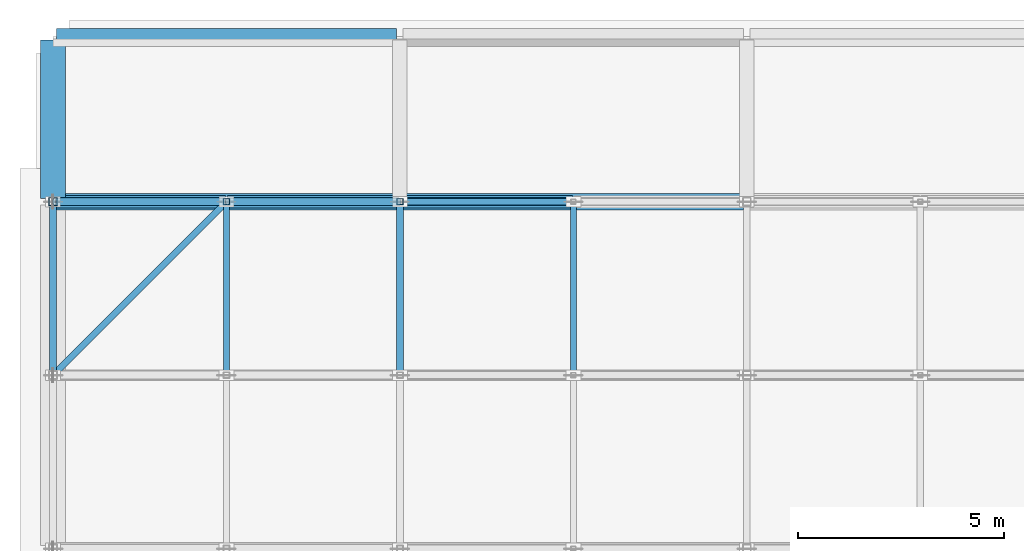
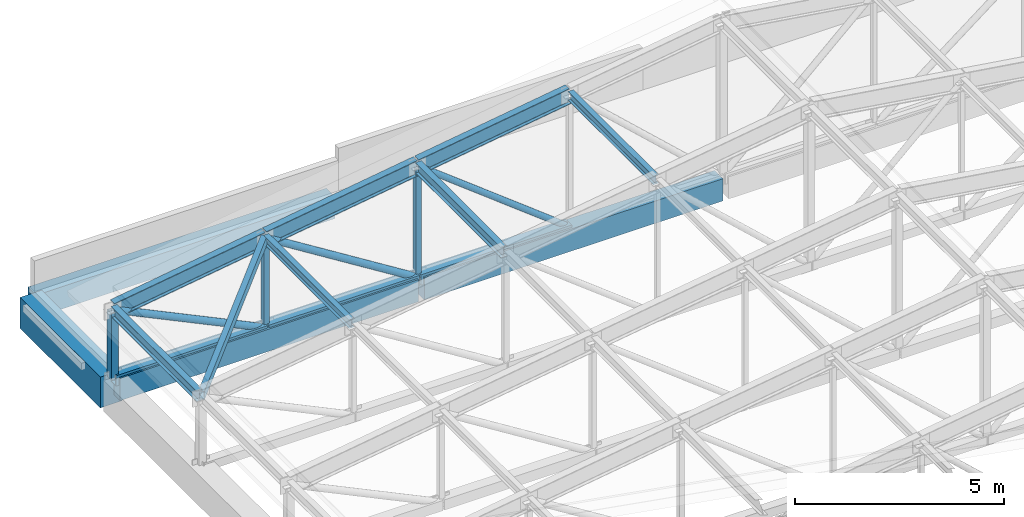
# One storey, part 37 of 122: 17 members, 4 beams.
"""IFC4 building model written with IfcOpenShell, lengths in metres."""

from ifc_helpers import new_model, si_unit, direction, frame, origin, origin_2d, place, context, subcontext, project, spatial, rectangle, hollow_rectangle, hollow_circle, i_section, extrude, material, material_profile, profile_set, type_object, element, save


model = new_model("IFC4")

# Units and contexts
model_context = context("Model", 3, precision=1e-05, world=origin(), true_north=direction((0.0, 1.0)))
body_context = subcontext(model_context, "Body", "Model", "MODEL_VIEW")
ifc_project = project(units=[si_unit("LENGTHUNIT", "METRE"), si_unit("AREAUNIT", "SQUARE_METRE"), si_unit("VOLUMEUNIT", "CUBIC_METRE"), si_unit("PLANEANGLEUNIT", "RADIAN"), si_unit("MASSUNIT", "GRAM", prefix="KILO")], contexts=[model_context])

# Site, building, storey
site_placement = place(None, origin())
site = spatial("IfcSite", under=ifc_project, at=site_placement, CompositionType="ELEMENT")
building_placement = place(site_placement, origin())
building = spatial("IfcBuilding", under=site, at=building_placement, Name="Telukmera Botanical Conservatory", CompositionType="ELEMENT")
storey_placement = place(building_placement, frame((0.0, 0.0, 10.199951171875)))
storey = spatial("IfcBuildingStorey", under=building, at=storey_placement, Name="L02", CompositionType="ELEMENT", Elevation=10.199951171875)

# Beams
ifc_material_1 = material(Name="Concrete C40/50", Category="concrete")
ifc_material_profile_1 = material_profile(ifc_material_1, rectangle(XDim=0.60009765625, YDim=0.89990234375, at=origin_2d()), Name="RC 600x900")
ifc_profile_set_1 = profile_set([ifc_material_profile_1], Name="Concrete C40/50")
beam_type_1 = type_object("IfcBeamType", Name="Beam_B3", PredefinedType="BEAM", material=ifc_profile_set_1)
beam_1_placement = place(storey_placement, frame((8.39990234375, 116.8798828125, -0.449951171875), z_axis=(0.0, 1.0, 0.0), x_axis=(-1.0, 0.0, 0.0)))
element("IfcBeam", 1, at=beam_1_placement, inside=storey, type_object=beam_type_1, Name="Auditorium Frame Beam beam:V2:L02:eave:84:1168", PredefinedType="BEAM", context=body_context, shape_type="SweptSolid", body=[
    extrude(rectangle(XDim=0.60009765625, YDim=0.89990234375, at=origin_2d()), origin(), (0.0, 0.0, 1.0), 3.840087890625),
])
ifc_material_profile_2 = material_profile(ifc_material_1, rectangle(XDim=0.39990234375, YDim=0.64990234375, at=origin_2d()), Name="RC 400x650")
ifc_profile_set_2 = profile_set([ifc_material_profile_2], Name="Concrete C40/50")
beam_type_2 = type_object("IfcBeamType", Name="Beam_B8", PredefinedType="BEAM", material=ifc_profile_set_2)
beam_2_placement = place(storey_placement, frame((8.47998046875, 116.800048828125, -0.324951171875), z_axis=(1.0, 0.0, 0.0), x_axis=(0.0, 1.0, 0.0)))
element("IfcBeam", 2, at=beam_2_placement, inside=storey, type_object=beam_type_2, Name="Auditorium Frame Beam beam:V2:L02:port_x:1168:84", PredefinedType="BEAM", context=body_context, shape_type="SweptSolid", body=[
    extrude(rectangle(XDim=0.39990234375, YDim=0.64990234375, at=origin_2d()), origin(), (0.0, 0.0, 1.0), 8.239990234375),
])
beam_3_placement = place(storey_placement, frame((16.8798828125, 116.800048828125, -0.324951171875), z_axis=(1.0, 0.0, 0.0), x_axis=(0.0, 1.0, 0.0)))
element("IfcBeam", 3, at=beam_3_placement, inside=storey, type_object=beam_type_2, Name="Auditorium Frame Beam beam:V2:L02:port_x:1168:168", PredefinedType="BEAM", context=body_context, shape_type="SweptSolid", body=[
    extrude(rectangle(XDim=0.39990234375, YDim=0.64990234375, at=origin_2d()), origin(), (0.0, 0.0, 1.0), 8.240234375),
])
beam_4_placement = place(storey_placement, frame((8.47998046875, 120.800048828125, -0.324951171875), z_axis=(1.0, 0.0, 0.0), x_axis=(0.0, 1.0, 0.0)))
element("IfcBeam", 4, at=beam_4_placement, inside=storey, type_object=beam_type_2, Name="Auditorium Frame Beam beam:V2:L02:port_x:1208:84", PredefinedType="BEAM", context=body_context, shape_type="SweptSolid", body=[
    extrude(rectangle(XDim=0.39990234375, YDim=0.64990234375, at=origin_2d()), origin(), (0.0, 0.0, 1.0), 8.239990234375),
])

# Members
ifc_material_2 = material(Name="Steel S355", Category="steel")
ifc_material_profile_3 = material_profile(ifc_material_2, hollow_rectangle(XDim=0.300048828125, YDim=0.300048828125, WallThickness=0.012451171875, at=origin_2d()), Name="SHS 300x300x12.5")
ifc_profile_set_3 = profile_set([ifc_material_profile_3], Name="Steel S355")
member_type_1 = type_object("IfcMemberType", Name="Mem_TC3", PredefinedType="CHORD", material=ifc_profile_set_3)
member_1_placement = place(storey_placement, frame((8.39990234375, 116.800048828125, -0.079833984375), z_axis=(1.0, 0.0, 0.0), x_axis=(0.0, 1.0, 0.0)))
element("IfcMember", 5, at=member_1_placement, inside=storey, type_object=member_type_1, Name="Auditorium Pratt Truss Bottom Chord T9-1", PredefinedType="CHORD", context=body_context, shape_type="SweptSolid", body=[
    extrude(hollow_rectangle(XDim=0.300048828125, YDim=0.300048828125, WallThickness=0.012451171875, at=origin_2d()), origin(), (0.0, 0.0, 1.0), 4.18017578125),
])
for number, where, z_axis, x_axis, name in (
    (6, (12.6201171875, 116.800048828125, -0.079833984375), (1.0, 0.0, 0.0), (0.0, 1.0, 0.0), "Auditorium Pratt Truss Bottom Chord T9-2"),
    (7, (16.820068359375, 116.800048828125, -0.079833984375), (1.0, 0.0, 0.0), (0.0, 1.0, 0.0), "Auditorium Pratt Truss Bottom Chord T9-3"),
):
    element("IfcMember", number, at=place(storey_placement, frame(where, z_axis=z_axis, x_axis=x_axis)), inside=storey, type_object=member_type_1, Name=name, PredefinedType="CHORD", context=body_context, shape_type="SweptSolid", body=[
        extrude(hollow_rectangle(XDim=0.300048828125, YDim=0.300048828125, WallThickness=0.012451171875, at=origin_2d()), origin(), (0.0, 0.0, 1.0), 4.159912109375),
    ])
ifc_material_profile_4 = material_profile(ifc_material_2, i_section(OverallWidth=0.19140625, OverallDepth=0.4599609375, WebThickness=0.010009765625, FlangeThickness=0.01611328125, FilletRadius=0.01025390625, at=origin_2d()), Name="UB 457x191x82")
ifc_profile_set_4 = profile_set([ifc_material_profile_4], Name="Steel S355")
member_type_2 = type_object("IfcMemberType", Name="Mem_TC4", PredefinedType="CHORD", material=ifc_profile_set_4)
member_2_placement = place(storey_placement, frame((8.419921875, 116.800048828125, 1.923095703125), z_axis=(0.989021335912, 0.0, 0.147772788805), x_axis=(0.0, 1.0, 0.0)))
element("IfcMember", 8, at=member_2_placement, inside=storey, type_object=member_type_2, Name="Auditorium Pratt Truss Top Chord T9-1", PredefinedType="CHORD", context=body_context, shape_type="SweptSolid", body=[
    extrude(i_section(OverallWidth=0.19140625, OverallDepth=0.4599609375, WebThickness=0.010009765625, FlangeThickness=0.01611328125, FilletRadius=0.01025390625, at=origin_2d()), origin(), (0.0, 0.0, 1.0), 4.206298828125),
])
for number, where, z_axis, x_axis, name in (
    (9, (12.619873046875, 116.800048828125, 2.55078125), (0.989022603236, 0.0, 0.147764306545), (0.0, 1.0, 0.0), "Auditorium Pratt Truss Top Chord T9-2"),
    (10, (16.81982421875, 116.800048828125, 3.178466796875), (0.989022603236, 0.0, 0.147764306545), (0.0, 1.0, 0.0), "Auditorium Pratt Truss Top Chord T9-3"),
):
    element("IfcMember", number, at=place(storey_placement, frame(where, z_axis=z_axis, x_axis=x_axis)), inside=storey, type_object=member_type_2, Name=name, PredefinedType="CHORD", context=body_context, shape_type="SweptSolid", body=[
        extrude(i_section(OverallWidth=0.19140625, OverallDepth=0.4599609375, WebThickness=0.010009765625, FlangeThickness=0.01611328125, FilletRadius=0.01025390625, at=origin_2d()), origin(), (0.0, 0.0, 1.0), 4.20654296875),
    ])
ifc_material_profile_5 = material_profile(ifc_material_2, hollow_circle(Radius=0.096923828125, WallThickness=0.008056640625, at=origin_2d()), Name="CHS 193.7x8.0")
ifc_profile_set_5 = profile_set([ifc_material_profile_5], Name="Steel S355")
member_type_3 = type_object("IfcMemberType", Name="Mem_TD1", PredefinedType="BRACE", material=ifc_profile_set_5)
member_3_placement = place(storey_placement, frame((8.427001953125, 116.800048828125, 1.9072265625), z_axis=(0.902853639645, 0.0, -0.42994802637), x_axis=(0.0, 1.0, 0.0)))
element("IfcMember", 11, at=member_3_placement, inside=storey, type_object=member_type_3, Name="Auditorium Pratt Truss Web Diagonal T9-D1", PredefinedType="BRACE", context=body_context, shape_type="SweptSolid", body=[
    extrude(hollow_circle(Radius=0.096923828125, WallThickness=0.008056640625, at=origin_2d()), origin(), (0.0, 0.0, 1.0), 4.592041015625),
])
member_4_placement = place(storey_placement, frame((12.62548828125, 116.800048828125, 2.53173828125), z_axis=(0.84777122797, 0.0, -0.530362088601), x_axis=(0.0, 1.0, 0.0)))
element("IfcMember", 12, at=member_4_placement, inside=storey, type_object=member_type_3, Name="Auditorium Pratt Truss Web Diagonal T9-D2", PredefinedType="BRACE", context=body_context, shape_type="SweptSolid", body=[
    extrude(hollow_circle(Radius=0.096923828125, WallThickness=0.008056640625, at=origin_2d()), origin(), (0.0, 0.0, 1.0), 4.894287109375),
])
ifc_material_profile_6 = material_profile(ifc_material_2, hollow_circle(Radius=0.084228515625, WallThickness=0.008056640625, at=origin_2d()), Name="CHS 168.3x8.0")
ifc_profile_set_6 = profile_set([ifc_material_profile_6], Name="Steel S355")
member_type_4 = type_object("IfcMemberType", Name="Mem_TD2", PredefinedType="BRACE", material=ifc_profile_set_6)
member_5_placement = place(storey_placement, frame((16.82373046875, 116.800048828125, 3.156982421875), z_axis=(0.790391989469, 0.0, -0.61260142261), x_axis=(0.0, 1.0, 0.0)))
element("IfcMember", 13, at=member_5_placement, inside=storey, type_object=member_type_4, Name="Auditorium Pratt Truss Web Diagonal T9-D3", PredefinedType="BRACE", context=body_context, shape_type="SweptSolid", body=[
    extrude(hollow_circle(Radius=0.084228515625, WallThickness=0.008056640625, at=origin_2d()), origin(), (0.0, 0.0, 1.0), 5.25390625),
])
ifc_material_profile_7 = material_profile(ifc_material_2, hollow_rectangle(XDim=0.14990234375, YDim=0.25, WallThickness=0.008056640625, at=origin_2d()), Name="RHS 250x150x8.0")
ifc_profile_set_7 = profile_set([ifc_material_profile_7], Name="Steel S355")
member_type_5 = type_object("IfcMemberType", Name="Mem_TD4", PredefinedType="BRACE", material=ifc_profile_set_7)
member_6_placement = place(storey_placement, frame((8.449951171875, 112.64990234375, 1.920166015625), z_axis=(0.702999784908, 0.702999784908, 0.107622510837), x_axis=(-0.707106781187, 0.707106781187, 0.0)))
element("IfcMember", 14, at=member_6_placement, inside=storey, type_object=member_type_5, Name="Auditorium Roof Plane Wind Brace RB8-0", PredefinedType="BRACE", context=body_context, shape_type="SweptSolid", body=[
    extrude(hollow_rectangle(XDim=0.14990234375, YDim=0.25, WallThickness=0.008056640625, at=origin_2d()), origin(), (0.0, 0.0, 1.0), 5.832275390625),
])
ifc_material_profile_8 = material_profile(ifc_material_2, i_section(OverallWidth=0.165771484375, OverallDepth=0.306640625, WebThickness=0.006591796875, FlangeThickness=0.01171875, FilletRadius=0.0087890625, at=origin_2d()), Name="UB 305x165x46")
ifc_profile_set_8 = profile_set([ifc_material_profile_8], Name="Steel S355")
member_type_6 = type_object("IfcMemberType", Name="Mem_TPB1", PredefinedType="PURLIN", material=ifc_profile_set_8)
for number, where, z_axis, x_axis, name in (
    (15, (8.39990234375, 112.659912109375, 1.920166015625), (0.0, 1.0, 0.0), (-1.0, 0.0, 0.0), "Auditorium Roof Steel Purlin P8-0"),
    (16, (16.800048828125, 112.659912109375, 3.175537109375), (0.0, 1.0, 0.0), (-1.0, 0.0, 0.0), "Auditorium Roof Steel Purlin P8-2"),
):
    element("IfcMember", number, at=place(storey_placement, frame(where, z_axis=z_axis, x_axis=x_axis)), inside=storey, type_object=member_type_6, Name=name, PredefinedType="PURLIN", context=body_context, shape_type="SweptSolid", body=[
        extrude(i_section(OverallWidth=0.165771484375, OverallDepth=0.306640625, WebThickness=0.006591796875, FlangeThickness=0.01171875, FilletRadius=0.0087890625, at=origin_2d()), origin(), (0.0, 0.0, 1.0), 4.080078125),
    ])
ifc_material_profile_9 = material_profile(ifc_material_2, i_section(OverallWidth=0.146484375, OverallDepth=0.256103515625, WebThickness=0.00634765625, FlangeThickness=0.010986328125, FilletRadius=0.007568359375, at=origin_2d()), Name="UB 254x146x37")
ifc_profile_set_9 = profile_set([ifc_material_profile_9], Name="Steel S355")
member_type_7 = type_object("IfcMemberType", Name="Mem_TPB2", PredefinedType="PURLIN", material=ifc_profile_set_9)
for number, where, z_axis, x_axis, name in (
    (17, (12.60009765625, 112.659912109375, 2.5478515625), (0.0, 1.0, 0.0), (-1.0, 0.0, 0.0), "Auditorium Roof Steel Purlin P8-1"),
    (18, (21.0, 112.659912109375, 3.80322265625), (0.0, 1.0, 0.0), (-1.0, 0.0, 0.0), "Auditorium Roof Steel Purlin P8-3"),
):
    element("IfcMember", number, at=place(storey_placement, frame(where, z_axis=z_axis, x_axis=x_axis)), inside=storey, type_object=member_type_7, Name=name, PredefinedType="PURLIN", context=body_context, shape_type="SweptSolid", body=[
        extrude(i_section(OverallWidth=0.146484375, OverallDepth=0.256103515625, WebThickness=0.00634765625, FlangeThickness=0.010986328125, FilletRadius=0.007568359375, at=origin_2d()), origin(), (0.0, 0.0, 1.0), 4.080078125),
    ])
ifc_material_profile_10 = material_profile(ifc_material_2, hollow_rectangle(XDim=0.199951171875, YDim=0.199951171875, WallThickness=0.010009765625, at=origin_2d()), Name="SHS 200x200x10.0")
ifc_profile_set_10 = profile_set([ifc_material_profile_10], Name="Steel S355")
member_type_8 = type_object("IfcMemberType", Name="Mem_TV1", PredefinedType="POST", material=ifc_profile_set_10)
member_7_placement = place(storey_placement, frame((8.39990234375, 116.800048828125, -0.06005859375), z_axis=(0.0, 0.0, 1.0), x_axis=(1.0, 0.0, 0.0)))
element("IfcMember", 19, at=member_7_placement, inside=storey, type_object=member_type_8, Name="Auditorium Pratt Truss Vertical T9-V0", PredefinedType="POST", context=body_context, shape_type="SweptSolid", body=[
    extrude(hollow_rectangle(XDim=0.199951171875, YDim=0.199951171875, WallThickness=0.010009765625, at=origin_2d()), origin(), (0.0, 0.0, 1.0), 1.960205078125),
])
ifc_material_profile_11 = material_profile(ifc_material_2, hollow_rectangle(XDim=0.14990234375, YDim=0.14990234375, WallThickness=0.008056640625, at=origin_2d()), Name="SHS 150x150x8.0")
ifc_profile_set_11 = profile_set([ifc_material_profile_11], Name="Steel S355")
member_type_9 = type_object("IfcMemberType", Name="Mem_TV2", PredefinedType="POST", material=ifc_profile_set_11)
member_8_placement = place(storey_placement, frame((12.60009765625, 116.800048828125, -0.06005859375), z_axis=(0.0, 0.0, 1.0), x_axis=(1.0, 0.0, 0.0)))
element("IfcMember", 20, at=member_8_placement, inside=storey, type_object=member_type_9, Name="Auditorium Pratt Truss Vertical T9-V1", PredefinedType="POST", context=body_context, shape_type="SweptSolid", body=[
    extrude(hollow_rectangle(XDim=0.14990234375, YDim=0.14990234375, WallThickness=0.008056640625, at=origin_2d()), origin(), (0.0, 0.0, 1.0), 2.587890625),
])
member_9_placement = place(storey_placement, frame((16.800048828125, 116.800048828125, -0.06005859375), z_axis=(0.0, 0.0, 1.0), x_axis=(1.0, 0.0, 0.0)))
element("IfcMember", 21, at=member_9_placement, inside=storey, type_object=member_type_9, Name="Auditorium Pratt Truss Vertical T9-V2", PredefinedType="POST", context=body_context, shape_type="SweptSolid", body=[
    extrude(hollow_rectangle(XDim=0.14990234375, YDim=0.14990234375, WallThickness=0.008056640625, at=origin_2d()), origin(), (0.0, 0.0, 1.0), 3.215576171875),
])

save(model, "model.ifc")
